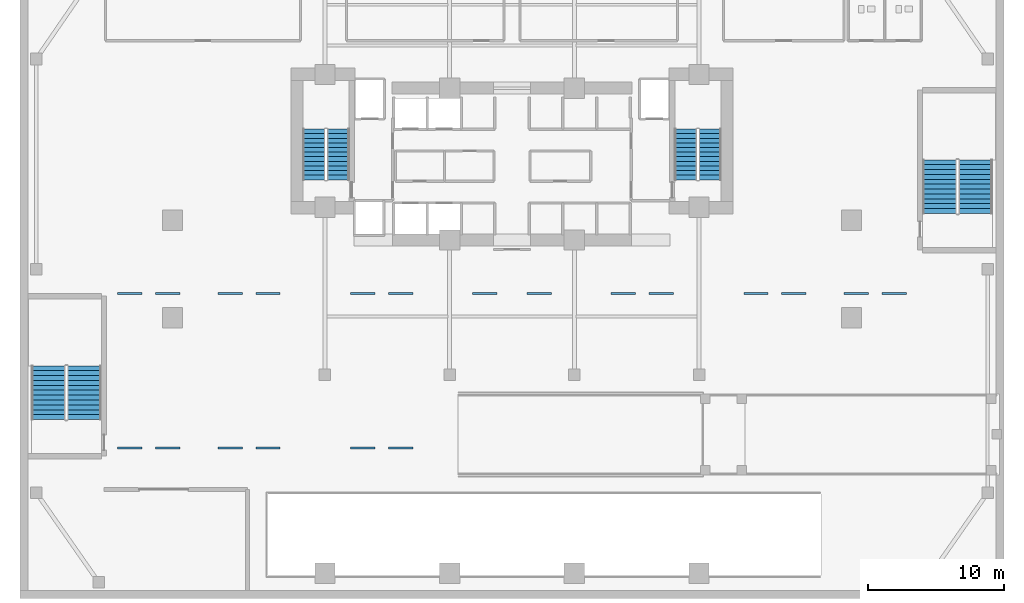
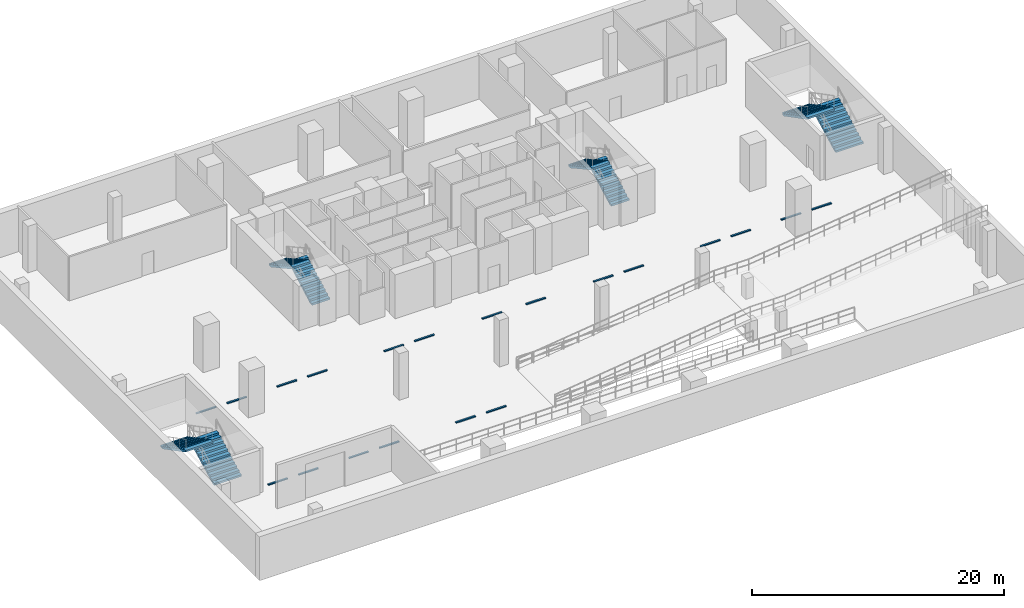
# One storey, part 8 of 13: 20 discrete accessories, 8 stair flights, 4 elements without a shape of their own.
"""IFC4 building model written with IfcOpenShell, lengths in metres."""

from ifc_helpers import new_model, si_unit, direction, frame, origin, origin_2d, place, context, subcontext, project, spatial, polyline, rectangle, outline, extrude, material, layer, layer_set, type_object, element, aggregate, save


model = new_model("IFC4")

# Units and contexts
model_context = context("Model", 3, precision=1e-05, world=origin(), true_north=direction((0.0, 1.0)))
body_context = subcontext(model_context, "Body", "Model", "MODEL_VIEW")
ifc_project = project(units=[si_unit("LENGTHUNIT", "METRE"), si_unit("AREAUNIT", "SQUARE_METRE"), si_unit("VOLUMEUNIT", "CUBIC_METRE"), si_unit("PLANEANGLEUNIT", "RADIAN"), si_unit("MASSUNIT", "GRAM", prefix="KILO")], contexts=[model_context])

# Site, building, storey
site_placement = place(None, origin())
site = spatial("IfcSite", under=ifc_project, at=site_placement, CompositionType="ELEMENT")
building_placement = place(site_placement, origin())
building = spatial("IfcBuilding", under=site, at=building_placement, Name="Zuhayl Quay Hotel", CompositionType="ELEMENT")
storey_placement = place(building_placement, frame((0.0, 0.0, -4.5)))
storey = spatial("IfcBuildingStorey", under=building, at=storey_placement, Name="B1", CompositionType="ELEMENT", Elevation=-4.5)

# Stair, stair flights
ifc_material_1 = material(Name="Concrete C45/55", Category="concrete")
stair_type_1 = type_object("IfcStairType", Name="ST_DOGLEG_PODIUM", PredefinedType="HALF_TURN_STAIR", material=ifc_material_1)
stair_1_placement = place(storey_placement, origin())
stair_1 = element("IfcStair", 1, at=stair_1_placement, inside=storey, type_object=stair_type_1, Name="B1 Smokeproof Exit Stair ST3", PredefinedType="HALF_TURN_STAIR")
ifc_layer_1 = layer(ifc_material_1, 0.159912109375, Name="Concrete C45/55", Category="concrete")
ifc_layer_set_1 = layer_set([ifc_layer_1], Name="Concrete C45/55")
stair_flight_type_1 = type_object("IfcStairFlightType", Name="SF_CONC_160", PredefinedType="STRAIGHT", material=ifc_layer_set_1)
stair_flight_1_placement = place(storey_placement, frame((-31.550048828125, -11.10009765625, 0.0), z_axis=(0.0, 0.0, 1.0), x_axis=(0.0, 1.0, 0.0)))
stair_flight_1 = element("IfcStairFlight", 2, at=stair_flight_1_placement, type_object=stair_flight_type_1, Name="ST3 flight 1", NumberOfRisers=12, NumberOfTreads=11, PredefinedType="STRAIGHT", RiserHeight=0.1875, TreadLength=0.36, context=body_context, shape_type="SweptSolid", body=[
    extrude(outline(polyline([(0.0, 0.0), (0.0, 0.1875), (0.360107421875, 0.1875), (0.360107421875, 0.375), (0.719970703125, 0.375), (0.719970703125, 0.5625), (1.080078125, 0.5625), (1.080078125, 0.75), (1.43994140625, 0.75), (1.43994140625, 0.9375), (1.800048828125, 0.9375), (1.800048828125, 1.125), (2.159912109375, 1.125), (2.159912109375, 1.3125), (2.52001953125, 1.3125), (2.52001953125, 1.5), (2.8798828125, 1.5), (2.8798828125, 1.6875), (3.239990234375, 1.6875), (3.239990234375, 1.875), (3.60009765625, 1.875), (3.60009765625, 2.0625), (3.9599609375, 2.0625), (3.9599609375, 2.25), (3.9599609375, 1.8935546875), (0.324462890625, 0.0), (0.0, 0.0)])), frame((0.0, 1.25, 0.0), z_axis=(0.0, -1.0, 0.0), x_axis=(1.0, 0.0, 0.0)), (0.0, 0.0, 1.0), 2.5),
])
stair_flight_2_placement = place(storey_placement, frame((-34.199951171875, -7.139892578125, 2.25), z_axis=(0.0, 0.0, 1.0), x_axis=(0.0, -1.0, 0.0)))
stair_flight_2 = element("IfcStairFlight", 3, at=stair_flight_2_placement, type_object=stair_flight_type_1, Name="ST3 flight 2", NumberOfRisers=12, NumberOfTreads=11, PredefinedType="STRAIGHT", RiserHeight=0.1875, TreadLength=0.36, context=body_context, shape_type="SweptSolid", body=[
    extrude(outline(polyline([(0.0, 0.0), (0.0, 0.1875), (0.360107421875, 0.1875), (0.360107421875, 0.375), (0.719970703125, 0.375), (0.719970703125, 0.5625), (1.080078125, 0.5625), (1.080078125, 0.75), (1.43994140625, 0.75), (1.43994140625, 0.9375), (1.800048828125, 0.9375), (1.800048828125, 1.125), (2.159912109375, 1.125), (2.159912109375, 1.3125), (2.52001953125, 1.3125), (2.52001953125, 1.5), (2.8798828125, 1.5), (2.8798828125, 1.6875), (3.239990234375, 1.6875), (3.239990234375, 1.875), (3.60009765625, 1.875), (3.60009765625, 2.0625), (3.9599609375, 2.0625), (3.9599609375, 2.25), (3.9599609375, 1.8935546875), (0.324462890625, 0.0), (0.0, 0.0)])), frame((0.0, 1.25, 0.0), z_axis=(0.0, -1.0, 0.0), x_axis=(1.0, 0.0, 0.0)), (0.0, 0.0, 1.0), 2.5),
])
aggregate(stair_1, [stair_flight_1, stair_flight_2])

stair_2_placement = place(storey_placement, origin())
stair_2 = element("IfcStair", 4, at=stair_2_placement, inside=storey, type_object=stair_type_1, Name="B1 Smokeproof Exit Stair ST4", PredefinedType="HALF_TURN_STAIR")
stair_flight_3_placement = place(storey_placement, frame((34.199951171875, 4.10009765625, 0.0), z_axis=(0.0, 0.0, 1.0), x_axis=(0.0, 1.0, 0.0)))
stair_flight_3 = element("IfcStairFlight", 5, at=stair_flight_3_placement, type_object=stair_flight_type_1, Name="ST4 flight 1", NumberOfRisers=12, NumberOfTreads=11, PredefinedType="STRAIGHT", RiserHeight=0.1875, TreadLength=0.36, context=body_context, shape_type="SweptSolid", body=[
    extrude(outline(polyline([(0.0, 0.0), (0.0, 0.1875), (0.360107421875, 0.1875), (0.360107421875, 0.375), (0.719970703125, 0.375), (0.719970703125, 0.5625), (1.080078125, 0.5625), (1.080078125, 0.75), (1.43994140625, 0.75), (1.43994140625, 0.9375), (1.800048828125, 0.9375), (1.800048828125, 1.125), (2.159912109375, 1.125), (2.159912109375, 1.3125), (2.52001953125, 1.3125), (2.52001953125, 1.5), (2.8798828125, 1.5), (2.8798828125, 1.6875), (3.239990234375, 1.6875), (3.239990234375, 1.875), (3.60009765625, 1.875), (3.60009765625, 2.0625), (3.9599609375, 2.0625), (3.9599609375, 2.25), (3.9599609375, 1.8935546875), (0.324462890625, 0.0), (0.0, 0.0)])), frame((0.0, 1.25, 0.0), z_axis=(0.0, -1.0, 0.0), x_axis=(1.0, 0.0, 0.0)), (0.0, 0.0, 1.0), 2.5),
])
stair_flight_4_placement = place(storey_placement, frame((31.550048828125, 8.06005859375, 2.25), z_axis=(0.0, 0.0, 1.0), x_axis=(0.0, -1.0, 0.0)))
stair_flight_4 = element("IfcStairFlight", 6, at=stair_flight_4_placement, type_object=stair_flight_type_1, Name="ST4 flight 2", NumberOfRisers=12, NumberOfTreads=11, PredefinedType="STRAIGHT", RiserHeight=0.1875, TreadLength=0.36, context=body_context, shape_type="SweptSolid", body=[
    extrude(outline(polyline([(0.0, 0.0), (0.0, 0.1875), (0.360107421875, 0.1875), (0.360107421875, 0.375), (0.719970703125, 0.375), (0.719970703125, 0.5625), (1.080078125, 0.5625), (1.080078125, 0.75), (1.43994140625, 0.75), (1.43994140625, 0.9375), (1.800048828125, 0.9375), (1.800048828125, 1.125), (2.159912109375, 1.125), (2.159912109375, 1.3125), (2.52001953125, 1.3125), (2.52001953125, 1.5), (2.8798828125, 1.5), (2.8798828125, 1.6875), (3.239990234375, 1.6875), (3.239990234375, 1.875), (3.60009765625, 1.875), (3.60009765625, 2.0625), (3.9599609375, 2.0625), (3.9599609375, 2.25), (3.9599609375, 1.8935546875), (0.324462890625, 0.0), (0.0, 0.0)])), frame((0.0, 1.25, 0.0), z_axis=(0.0, -1.0, 0.0), x_axis=(1.0, 0.0, 0.0)), (0.0, 0.0, 1.0), 2.5),
])
aggregate(stair_2, [stair_flight_3, stair_flight_4])

stair_type_2 = type_object("IfcStairType", Name="ST_DOGLEG_TOWER", PredefinedType="HALF_TURN_STAIR", material=ifc_material_1)
stair_3_placement = place(storey_placement, origin())
stair_3 = element("IfcStair", 7, at=stair_3_placement, inside=storey, type_object=stair_type_2, Name="B1 Smokeproof Exit Stair ST1", PredefinedType="HALF_TURN_STAIR")
ifc_layer_2 = layer(ifc_material_1, 0.159912109375, Name="Concrete C45/55", Category="concrete")
ifc_layer_set_2 = layer_set([ifc_layer_2], Name="Concrete C45/55")
stair_flight_type_2 = type_object("IfcStairFlightType", Name="SF_CONC_164", PredefinedType="STRAIGHT", material=ifc_layer_set_2)
stair_flight_5_placement = place(storey_placement, frame((-12.820068359375, 6.590087890625, 0.0), z_axis=(0.0, 0.0, 1.0), x_axis=(0.0, 1.0, 0.0)))
stair_flight_5 = element("IfcStairFlight", 8, at=stair_flight_5_placement, type_object=stair_flight_type_2, Name="ST1 flight 1", NumberOfRisers=12, NumberOfTreads=11, PredefinedType="STRAIGHT", RiserHeight=0.1875, TreadLength=0.34, context=body_context, shape_type="SweptSolid", body=[
    extrude(outline(polyline([(0.0, 0.0), (0.0, 0.1875), (0.340087890625, 0.1875), (0.340087890625, 0.375), (0.679931640625, 0.375), (0.679931640625, 0.5625), (1.02001953125, 0.5625), (1.02001953125, 0.75), (1.360107421875, 0.75), (1.360107421875, 0.9375), (1.699951171875, 0.9375), (1.699951171875, 1.125), (2.0400390625, 1.125), (2.0400390625, 1.3125), (2.3798828125, 1.3125), (2.3798828125, 1.5), (2.719970703125, 1.5), (2.719970703125, 1.6875), (3.06005859375, 1.6875), (3.06005859375, 1.875), (3.39990234375, 1.875), (3.39990234375, 2.0625), (3.739990234375, 2.0625), (3.739990234375, 2.25), (3.739990234375, 1.891357421875), (0.310302734375, 0.0), (0.0, 0.0)])), frame((0.0, 0.81982421875, 0.0), z_axis=(0.0, -1.0, 0.0), x_axis=(1.0, 0.0, 0.0)), (0.0, 0.0, 1.0), 1.639892578125),
])
stair_flight_6_placement = place(storey_placement, frame((-14.610107421875, 10.330078125, 2.25), z_axis=(0.0, 0.0, 1.0), x_axis=(0.0, -1.0, 0.0)))
stair_flight_6 = element("IfcStairFlight", 9, at=stair_flight_6_placement, type_object=stair_flight_type_2, Name="ST1 flight 2", NumberOfRisers=12, NumberOfTreads=11, PredefinedType="STRAIGHT", RiserHeight=0.1875, TreadLength=0.34, context=body_context, shape_type="SweptSolid", body=[
    extrude(outline(polyline([(0.0, 0.0), (0.0, 0.1875), (0.340087890625, 0.1875), (0.340087890625, 0.375), (0.679931640625, 0.375), (0.679931640625, 0.5625), (1.02001953125, 0.5625), (1.02001953125, 0.75), (1.360107421875, 0.75), (1.360107421875, 0.9375), (1.699951171875, 0.9375), (1.699951171875, 1.125), (2.0400390625, 1.125), (2.0400390625, 1.3125), (2.3798828125, 1.3125), (2.3798828125, 1.5), (2.719970703125, 1.5), (2.719970703125, 1.6875), (3.06005859375, 1.6875), (3.06005859375, 1.875), (3.39990234375, 1.875), (3.39990234375, 2.0625), (3.739990234375, 2.0625), (3.739990234375, 2.25), (3.739990234375, 1.891357421875), (0.310302734375, 0.0), (0.0, 0.0)])), frame((0.0, 0.81982421875, 0.0), z_axis=(0.0, -1.0, 0.0), x_axis=(1.0, 0.0, 0.0)), (0.0, 0.0, 1.0), 1.639892578125),
])
aggregate(stair_3, [stair_flight_5, stair_flight_6])

stair_4_placement = place(storey_placement, origin())
stair_4 = element("IfcStair", 10, at=stair_4_placement, inside=storey, type_object=stair_type_2, Name="B1 Smokeproof Exit Stair ST2", PredefinedType="HALF_TURN_STAIR")
stair_flight_7_placement = place(storey_placement, frame((14.610107421875, 6.590087890625, 0.0), z_axis=(0.0, 0.0, 1.0), x_axis=(0.0, 1.0, 0.0)))
stair_flight_7 = element("IfcStairFlight", 11, at=stair_flight_7_placement, type_object=stair_flight_type_2, Name="ST2 flight 1", NumberOfRisers=12, NumberOfTreads=11, PredefinedType="STRAIGHT", RiserHeight=0.1875, TreadLength=0.34, context=body_context, shape_type="SweptSolid", body=[
    extrude(outline(polyline([(0.0, 0.0), (0.0, 0.1875), (0.340087890625, 0.1875), (0.340087890625, 0.375), (0.679931640625, 0.375), (0.679931640625, 0.5625), (1.02001953125, 0.5625), (1.02001953125, 0.75), (1.360107421875, 0.75), (1.360107421875, 0.9375), (1.699951171875, 0.9375), (1.699951171875, 1.125), (2.0400390625, 1.125), (2.0400390625, 1.3125), (2.3798828125, 1.3125), (2.3798828125, 1.5), (2.719970703125, 1.5), (2.719970703125, 1.6875), (3.06005859375, 1.6875), (3.06005859375, 1.875), (3.39990234375, 1.875), (3.39990234375, 2.0625), (3.739990234375, 2.0625), (3.739990234375, 2.25), (3.739990234375, 1.891357421875), (0.310302734375, 0.0), (0.0, 0.0)])), frame((0.0, 0.81982421875, 0.0), z_axis=(0.0, -1.0, 0.0), x_axis=(1.0, 0.0, 0.0)), (0.0, 0.0, 1.0), 1.639892578125),
])
stair_flight_8_placement = place(storey_placement, frame((12.820068359375, 10.330078125, 2.25), z_axis=(0.0, 0.0, 1.0), x_axis=(0.0, -1.0, 0.0)))
stair_flight_8 = element("IfcStairFlight", 12, at=stair_flight_8_placement, type_object=stair_flight_type_2, Name="ST2 flight 2", NumberOfRisers=12, NumberOfTreads=11, PredefinedType="STRAIGHT", RiserHeight=0.1875, TreadLength=0.34, context=body_context, shape_type="SweptSolid", body=[
    extrude(outline(polyline([(0.0, 0.0), (0.0, 0.1875), (0.340087890625, 0.1875), (0.340087890625, 0.375), (0.679931640625, 0.375), (0.679931640625, 0.5625), (1.02001953125, 0.5625), (1.02001953125, 0.75), (1.360107421875, 0.75), (1.360107421875, 0.9375), (1.699951171875, 0.9375), (1.699951171875, 1.125), (2.0400390625, 1.125), (2.0400390625, 1.3125), (2.3798828125, 1.3125), (2.3798828125, 1.5), (2.719970703125, 1.5), (2.719970703125, 1.6875), (3.06005859375, 1.6875), (3.06005859375, 1.875), (3.39990234375, 1.875), (3.39990234375, 2.0625), (3.739990234375, 2.0625), (3.739990234375, 2.25), (3.739990234375, 1.891357421875), (0.310302734375, 0.0), (0.0, 0.0)])), frame((0.0, 0.81982421875, 0.0), z_axis=(0.0, -1.0, 0.0), x_axis=(1.0, 0.0, 0.0)), (0.0, 0.0, 1.0), 1.639892578125),
])
aggregate(stair_4, [stair_flight_7, stair_flight_8])

# Discrete accessories
ifc_material_2 = material(Name="Precast concrete C45/55", Category="concrete")
discrete_accessory_type = type_object("IfcDiscreteAccessoryType", Name="DA_WHEEL_STOP", PredefinedType="USERDEFINED", material=ifc_material_2)
for number, where, z_axis, x_axis, name in (
    (13, (-28.199951171875, -13.199951171875, 0.0), (0.0, 0.0, 1.0), (1.0, 0.0, 0.0), "Accessible Parking Bay Marking B1-A1"),
    (14, (-25.39990234375, -13.199951171875, 0.0), (0.0, 0.0, 1.0), (1.0, 0.0, 0.0), "Accessible Parking Bay Marking B1-A2"),
    (15, (-20.800048828125, -13.199951171875, 0.0), (0.0, 0.0, 1.0), (1.0, 0.0, 0.0), "Parking Bay Marking B1-03"),
    (16, (-18.0, -13.199951171875, 0.0), (0.0, 0.0, 1.0), (1.0, 0.0, 0.0), "Parking Bay Marking B1-04"),
    (17, (-11.0, -13.199951171875, 0.0), (0.0, 0.0, 1.0), (1.0, 0.0, 0.0), "Parking Bay Marking B1-05"),
    (18, (-8.199951171875, -13.199951171875, 0.0), (0.0, 0.0, 1.0), (1.0, 0.0, 0.0), "Parking Bay Marking B1-06"),
    (19, (-28.199951171875, -1.800048828125, 0.0), (0.0, 0.0, 1.0), (1.0, 0.0, 0.0), "Accessible Parking Bay Marking B1-A3"),
    (20, (-25.39990234375, -1.800048828125, 0.0), (0.0, 0.0, 1.0), (1.0, 0.0, 0.0), "Accessible Parking Bay Marking B1-A4"),
    (21, (-20.800048828125, -1.800048828125, 0.0), (0.0, 0.0, 1.0), (1.0, 0.0, 0.0), "Parking Bay Marking B1-09"),
    (22, (-18.0, -1.800048828125, 0.0), (0.0, 0.0, 1.0), (1.0, 0.0, 0.0), "Parking Bay Marking B1-10"),
    (23, (-11.0, -1.800048828125, 0.0), (0.0, 0.0, 1.0), (1.0, 0.0, 0.0), "Parking Bay Marking B1-11"),
    (24, (-8.199951171875, -1.800048828125, 0.0), (0.0, 0.0, 1.0), (1.0, 0.0, 0.0), "Parking Bay Marking B1-12"),
    (25, (-2.0, -1.800048828125, 0.0), (0.0, 0.0, 1.0), (1.0, 0.0, 0.0), "Parking Bay Marking B1-13"),
    (26, (2.0, -1.800048828125, 0.0), (0.0, 0.0, 1.0), (1.0, 0.0, 0.0), "Parking Bay Marking B1-14"),
    (27, (8.199951171875, -1.800048828125, 0.0), (0.0, 0.0, 1.0), (1.0, 0.0, 0.0), "Parking Bay Marking B1-15"),
    (28, (11.0, -1.800048828125, 0.0), (0.0, 0.0, 1.0), (1.0, 0.0, 0.0), "Parking Bay Marking B1-16"),
    (29, (18.0, -1.800048828125, 0.0), (0.0, 0.0, 1.0), (1.0, 0.0, 0.0), "Parking Bay Marking B1-17"),
    (30, (20.800048828125, -1.800048828125, 0.0), (0.0, 0.0, 1.0), (1.0, 0.0, 0.0), "Parking Bay Marking B1-18"),
    (31, (25.39990234375, -1.800048828125, 0.0), (0.0, 0.0, 1.0), (1.0, 0.0, 0.0), "Parking Bay Marking B1-19"),
    (32, (28.199951171875, -1.800048828125, 0.0), (0.0, 0.0, 1.0), (1.0, 0.0, 0.0), "Parking Bay Marking B1-20"),
):
    element("IfcDiscreteAccessory", number, at=place(storey_placement, frame(where, z_axis=z_axis, x_axis=x_axis)), inside=storey, type_object=discrete_accessory_type, Name=name, ObjectType="WHEEL STOP", PredefinedType="USERDEFINED", context=body_context, shape_type="SweptSolid", body=[
        extrude(rectangle(XDim=1.800048828125, YDim=0.159912109375, at=origin_2d()), origin(), (0.0, 0.0, 1.0), 0.10009765625),
    ])

save(model, "model.ifc")
